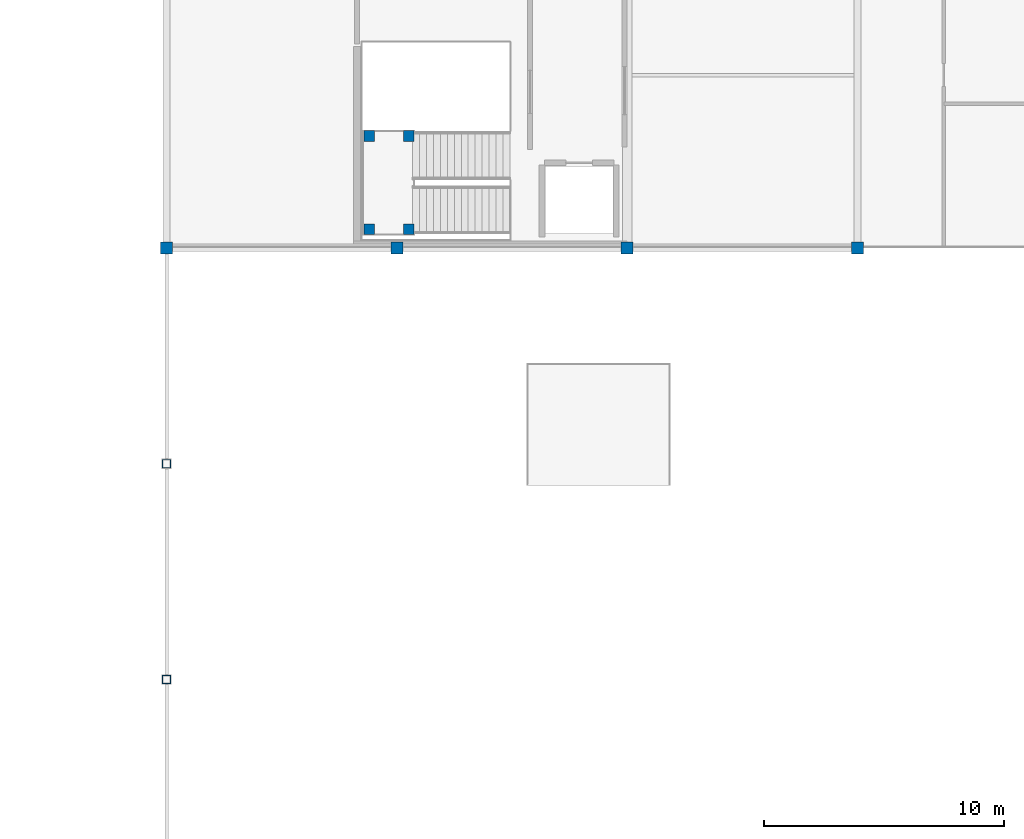
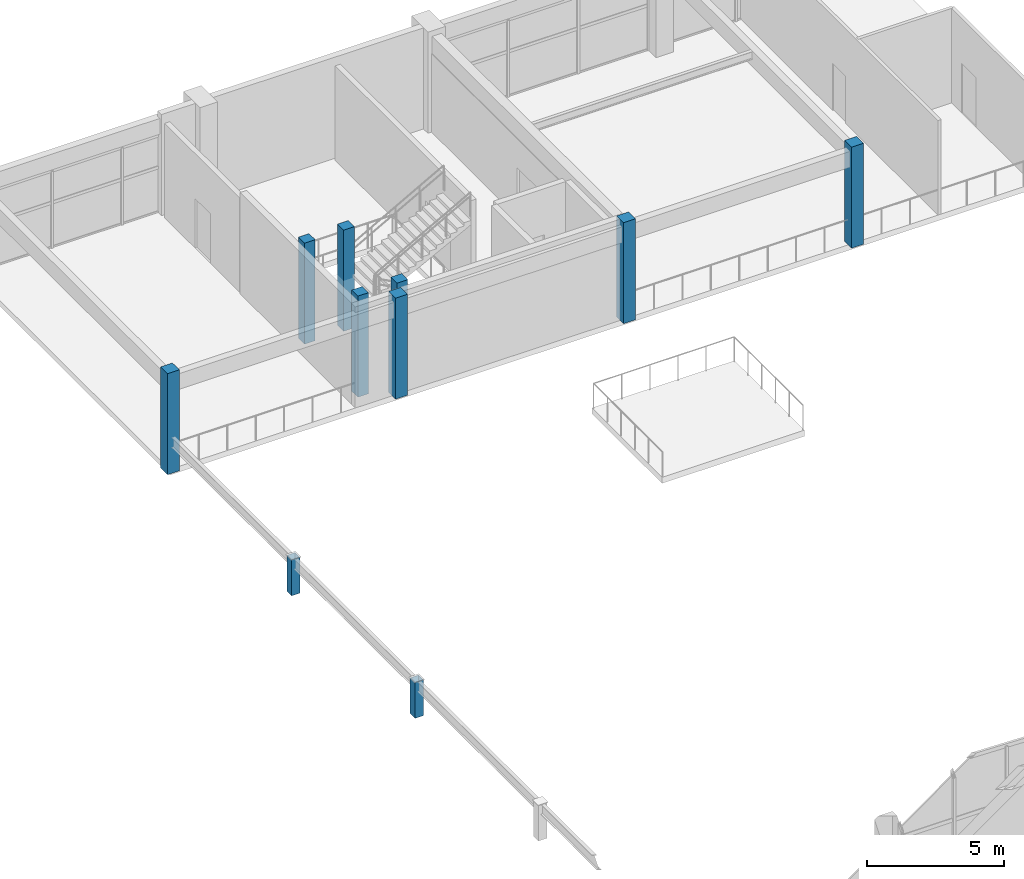
# One storey, part 5 of 89: 10 columns.
"""IFC4 building model written with IfcOpenShell, lengths in metres."""

from ifc_helpers import new_model, si_unit, direction, frame, origin, origin_2d, place, context, subcontext, project, spatial, rectangle, hollow_rectangle, extrude, material, material_profile, profile_set, type_object, element, save


model = new_model("IFC4")

# Units and contexts
model_context = context("Model", 3, precision=1e-05, world=origin(), true_north=direction((0.0, 1.0)))
body_context = subcontext(model_context, "Body", "Model", "MODEL_VIEW")
ifc_project = project(units=[si_unit("LENGTHUNIT", "METRE"), si_unit("AREAUNIT", "SQUARE_METRE"), si_unit("VOLUMEUNIT", "CUBIC_METRE"), si_unit("PLANEANGLEUNIT", "RADIAN"), si_unit("MASSUNIT", "GRAM", prefix="KILO")], contexts=[model_context])

# Site, building, storey
site_placement = place(None, origin())
site = spatial("IfcSite", under=ifc_project, at=site_placement, CompositionType="ELEMENT")
building_placement = place(site_placement, origin())
building = spatial("IfcBuilding", under=site, at=building_placement, Name="Suirenkawa Promenade Aquatics Centre", CompositionType="ELEMENT")
storey_placement = place(building_placement, frame((0.0, 0.0, 9.60009765625)))
storey = spatial("IfcBuildingStorey", under=building, at=storey_placement, Name="L02", CompositionType="ELEMENT", Elevation=9.60009765625)

# Columns
ifc_material_1 = material(Name="Concrete M40", Category="concrete")
ifc_material_profile_1 = material_profile(ifc_material_1, rectangle(XDim=0.449951171875, YDim=0.449951171875, at=origin_2d()), Name="RC COL 450x450", Category="concrete")
ifc_profile_set_1 = profile_set([ifc_material_profile_1], Name="Concrete M40")
column_type_1 = type_object("IfcColumnType", Name="CT-RC-450", PredefinedType="COLUMN", material=ifc_profile_set_1)
for number, where, z_axis, x_axis, name in (
    (1, (164.449951171875, 87.169921875, 0.0), (0.0, 0.0, 1.0), (1.0, 0.0, 0.0), "Core stair landing column CL-01 COL-CR-C5-L02-1"),
    (2, (166.10009765625, 87.169921875, 0.0), (0.0, 0.0, 1.0), (1.0, 0.0, 0.0), "Core stair landing column CL-01 COL-CR-C5-L02-2"),
    (3, (164.449951171875, 91.06005859375, 0.0), (0.0, 0.0, 1.0), (1.0, 0.0, 0.0), "Core stair landing column CL-01 COL-CR-C5-L02-3"),
    (4, (166.10009765625, 91.06005859375, 0.0), (0.0, 0.0, 1.0), (1.0, 0.0, 0.0), "Core stair landing column CL-01 COL-CR-C5-L02-4"),
):
    element("IfcColumn", number, at=place(storey_placement, frame(where, z_axis=z_axis, x_axis=x_axis)), inside=storey, type_object=column_type_1, Name=name, PredefinedType="COLUMN", context=body_context, shape_type="SweptSolid", body=[
        extrude(rectangle(XDim=0.449951171875, YDim=0.449951171875, at=origin_2d()), origin(), (0.0, 0.0, 1.0), 4.5),
    ])
ifc_material_profile_2 = material_profile(ifc_material_1, rectangle(XDim=0.5, YDim=0.5, at=origin_2d()), Name="RC COL 500x500", Category="concrete")
ifc_profile_set_2 = profile_set([ifc_material_profile_2], Name="Concrete M40")
column_type_2 = type_object("IfcColumnType", Name="CT-RC-500", PredefinedType="COLUMN", material=ifc_profile_set_2)
for number, where, z_axis, x_axis, name in (
    (5, (156.0, 86.39990234375, 0.0), (0.0, 0.0, 1.0), (1.0, 0.0, 0.0), "Column CL-02 COL-0415"),
    (6, (165.60009765625, 86.39990234375, 0.0), (0.0, 0.0, 1.0), (1.0, 0.0, 0.0), "Column CL-02 COL-0420"),
    (7, (175.199951171875, 86.39990234375, 0.0), (0.0, 0.0, 1.0), (1.0, 0.0, 0.0), "Column CL-02 COL-0425"),
    (8, (184.800048828125, 86.39990234375, 0.0), (0.0, 0.0, 1.0), (1.0, 0.0, 0.0), "Column CL-02 COL-0430"),
):
    element("IfcColumn", number, at=place(storey_placement, frame(where, z_axis=z_axis, x_axis=x_axis)), inside=storey, type_object=column_type_2, Name=name, PredefinedType="COLUMN", context=body_context, shape_type="SweptSolid", body=[
        extrude(rectangle(XDim=0.5, YDim=0.5, at=origin_2d()), origin(), (0.0, 0.0, 1.0), 4.5),
    ])
ifc_material_2 = material(Name="Steel IS 2062 E350 (Grade 350)", Category="steel")
ifc_material_profile_3 = material_profile(ifc_material_2, hollow_rectangle(XDim=0.35009765625, YDim=0.35009765625, WallThickness=0.01611328125, at=origin_2d()), Name="SHS 350x350x16", Category="steel")
ifc_profile_set_3 = profile_set([ifc_material_profile_3], Name="Steel IS 2062 E350 (Grade 350)")
column_type_3 = type_object("IfcColumnType", Name="CT-STL-SHS350", PredefinedType="COLUMN", material=ifc_profile_set_3)
for number, where, z_axis, x_axis, name in (
    (9, (156.0, 68.39990234375, 0.0), (0.0, 0.0, 1.0), (1.0, 0.0, 0.0), "Column CL-15 COL-0623"),
    (10, (156.0, 77.39990234375, 0.0), (0.0, 0.0, 1.0), (1.0, 0.0, 0.0), "Column CL-15 COL-0627"),
):
    element("IfcColumn", number, at=place(storey_placement, frame(where, z_axis=z_axis, x_axis=x_axis)), inside=storey, type_object=column_type_3, Name=name, PredefinedType="COLUMN", context=body_context, shape_type="SweptSolid", body=[
        extrude(hollow_rectangle(XDim=0.35009765625, YDim=0.35009765625, WallThickness=0.01611328125, at=origin_2d()), origin(), (0.0, 0.0, 1.0), 1.599853515625),
    ])

save(model, "model.ifc")
